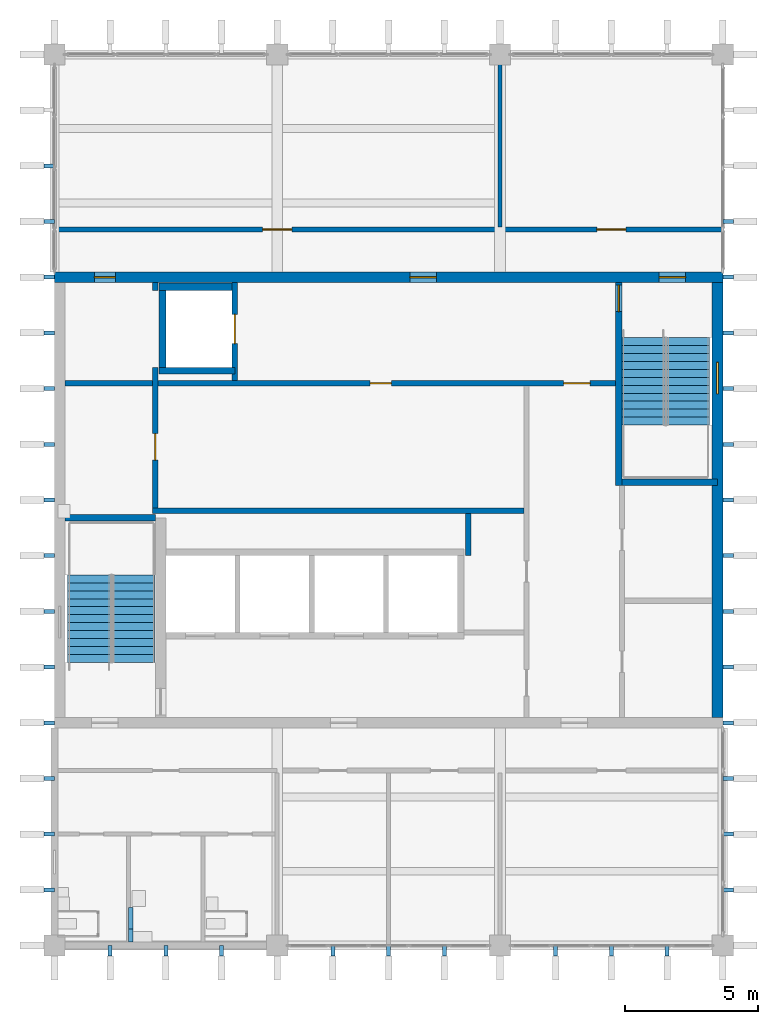
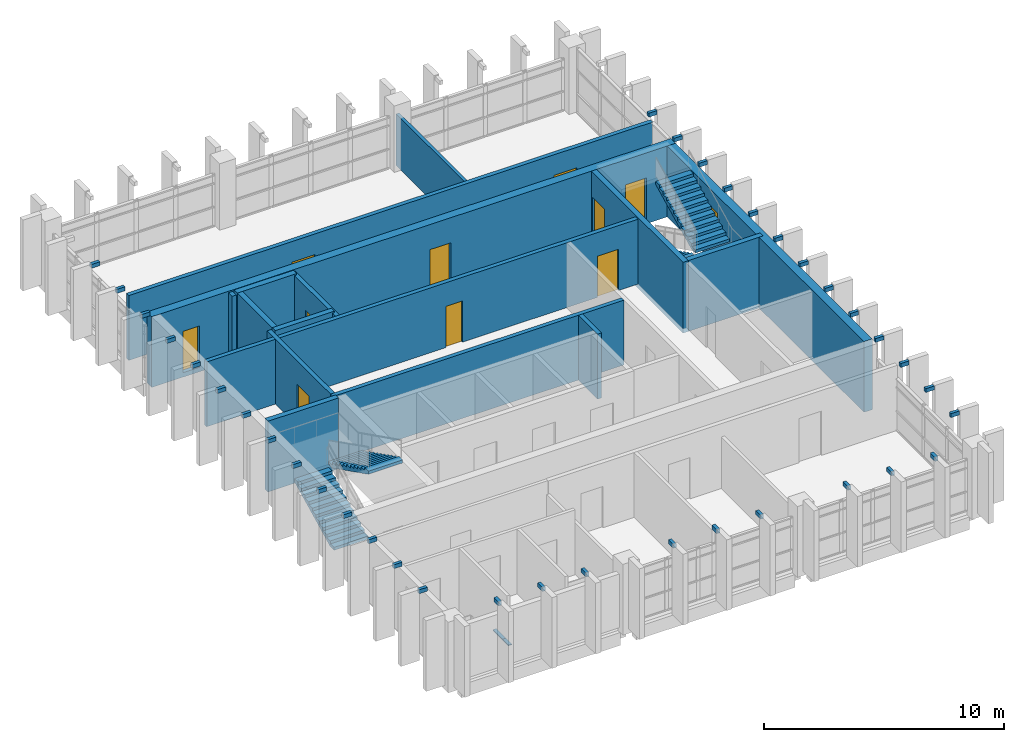
# One storey, part 8 of 11: 38 discrete accessories, 16 walls, 10 doors, 4 stair flights, 1 window, 11 openings, 2 elements without a shape of their own.
"""IFC4 building model written with IfcOpenShell, lengths in metres."""

from ifc_helpers import new_model, si_unit, direction, frame, frame_2d, origin, origin_2d, place, context, subcontext, project, spatial, polyline, rectangle, outline, extrude, material, layer, layer_set, type_object, element, fill, aggregate, save


model = new_model("IFC4")

# Units and contexts
model_context = context("Model", 3, precision=1e-05, world=origin(), true_north=direction((0.0, 1.0)))
body_context = subcontext(model_context, "Body", "Model", "MODEL_VIEW")
ifc_project = project(units=[si_unit("LENGTHUNIT", "METRE"), si_unit("AREAUNIT", "SQUARE_METRE"), si_unit("VOLUMEUNIT", "CUBIC_METRE"), si_unit("PLANEANGLEUNIT", "RADIAN"), si_unit("MASSUNIT", "GRAM", prefix="KILO")], contexts=[model_context])

# Site, building, storey
site_placement = place(None, origin())
site = spatial("IfcSite", under=ifc_project, at=site_placement, CompositionType="ELEMENT")
building_placement = place(site_placement, origin())
building = spatial("IfcBuilding", under=site, at=building_placement, Name="Rulbaag Community and Learning Centre", CompositionType="ELEMENT")
storey_placement = place(building_placement, frame((0.0, 0.0, 43.199951171875)))
storey = spatial("IfcBuildingStorey", under=building, at=storey_placement, Name="L11", CompositionType="ELEMENT", Elevation=43.199951171875)

# Wall
ifc_material_1 = material(Name="Concrete blockwork", Category="masonry")
ifc_layer_1 = layer(ifc_material_1, 0.199951171875)
ifc_layer_set_1 = layer_set([ifc_layer_1], Name="FW-200 FIRE WALL 200")
wall_type_1 = type_object("IfcWallType", Name="FW-200 FIRE WALL 200", PredefinedType="SOLIDWALL", material=ifc_layer_set_1)
wall_1_placement = place(storey_placement, frame((146.5, 100.39990234375, 0.0), z_axis=(0.0, 0.0, 1.0), x_axis=(1.0, 0.0, 0.0)))
element("IfcWall", 1, at=wall_1_placement, inside=storey, type_object=wall_type_1, Name="Fire wall L11 8", PredefinedType="SOLIDWALL", context=body_context, shape_type="SweptSolid", body=[
    extrude(rectangle(XDim=14.0, YDim=0.199951171875, at=frame_2d((7.0, 0.0))), origin(), (0.0, 0.0, 1.0), 3.300048828125),
])

# Wall, openings, doors
wall_2_placement = place(storey_placement, frame((143.199951171875, 105.199951171875, 0.0), z_axis=(0.0, 0.0, 1.0), x_axis=(1.0, 0.0, 0.0)))
wall_2 = element("IfcWall", 2, at=wall_2_placement, inside=storey, type_object=wall_type_1, Name="Fire wall L11 9", PredefinedType="SOLIDWALL", context=body_context, shape_type="SweptSolid", body=[
    extrude(rectangle(XDim=20.75, YDim=0.199951171875, at=frame_2d((10.375, 0.0))), origin(), (0.0, 0.0, 1.0), 3.300048828125),
])
opening_1_placement = place(wall_2_placement, frame((11.5, 0.0, 0.0)))
opening_1 = element("IfcOpeningElement", 3, at=opening_1_placement, cuts=wall_2, Name="Opening L11-D018", PredefinedType="OPENING", context=body_context, shape_type="SweptSolid", body=[
    extrude(rectangle(XDim=0.800048828125, YDim=2.10009765625, at=frame_2d((0.39990234375, 1.050048828125))), frame((0.0, 0.10986328125, 0.0), z_axis=(0.0, -1.0, 0.0), x_axis=(1.0, 0.0, 0.0)), (0.0, 0.0, 1.0), 0.219970703125),
])
opening_2_placement = place(wall_2_placement, frame((18.800048828125, 0.0, 0.0)))
opening_2 = element("IfcOpeningElement", 4, at=opening_2_placement, cuts=wall_2, Name="Opening L11-D025", PredefinedType="OPENING", context=body_context, shape_type="SweptSolid", body=[
    extrude(rectangle(XDim=1.0, YDim=2.10009765625, at=frame_2d((0.5, 1.050048828125))), frame((0.0, 0.10986328125, 0.0), z_axis=(0.0, -1.0, 0.0), x_axis=(1.0, 0.0, 0.0)), (0.0, 0.0, 1.0), 0.219970703125),
])
ifc_material_2 = material(Name="Galvanised steel", Category="steel")
door_type_1 = type_object("IfcDoorType", Name="FD-1000 FIRE DOOR 1000 x 2100", OperationType="SINGLE_SWING_LEFT", PredefinedType="DOOR", material=ifc_material_2)
door_1_placement = place(opening_2_placement, origin())
door_1 = element("IfcDoor", 5, at=door_1_placement, inside=storey, type_object=door_type_1, Name="Door L11-D025", OperationType="SINGLE_SWING_LEFT", OverallHeight=2.10009765625, OverallWidth=1.0, PredefinedType="DOOR", context=body_context, shape_type="SweptSolid", body=[
    extrude(rectangle(XDim=1.0, YDim=2.10009765625, at=frame_2d((0.5, 1.050048828125))), frame((0.0, 0.02490234375, 0.0), z_axis=(0.0, -1.0, 0.0), x_axis=(1.0, 0.0, 0.0)), (0.0, 0.0, 1.0), 0.050048828125),
])
fill(opening_2, door_1)
door_type_2 = type_object("IfcDoorType", Name="FDR-800 RISER FIRE DOOR 800 x 2100", OperationType="SINGLE_SWING_LEFT", PredefinedType="DOOR", material=ifc_material_2)
door_2_placement = place(opening_1_placement, origin())
door_2 = element("IfcDoor", 6, at=door_2_placement, inside=storey, type_object=door_type_2, Name="Riser door L11-D021", OperationType="SINGLE_SWING_RIGHT", OverallHeight=2.10009765625, OverallWidth=0.800048828125, PredefinedType="DOOR", context=body_context, shape_type="SweptSolid", body=[
    extrude(rectangle(XDim=0.800048828125, YDim=2.10009765625, at=frame_2d((0.39990234375, 1.050048828125))), frame((0.0, 0.02490234375, 0.0), z_axis=(0.0, -1.0, 0.0), x_axis=(1.0, 0.0, 0.0)), (0.0, 0.0, 1.0), 0.050048828125),
])
fill(opening_1, door_2)

wall_3_placement = place(storey_placement, frame((142.800048828125, 111.0, 0.0), z_axis=(0.0, 0.0, 1.0), x_axis=(1.0, 0.0, 0.0)))
wall_3 = element("IfcWall", 7, at=wall_3_placement, inside=storey, type_object=wall_type_1, Name="Fire wall L11 10", PredefinedType="SOLIDWALL", context=body_context, shape_type="SweptSolid", body=[
    extrude(rectangle(XDim=25.199951171875, YDim=0.199951171875, at=frame_2d((12.60009765625, 0.0))), origin(), (0.0, 0.0, 1.0), 3.300048828125),
])
opening_3_placement = place(wall_3_placement, frame((7.85009765625, 0.0, 0.0)))
opening_3 = element("IfcOpeningElement", 8, at=opening_3_placement, cuts=wall_3, Name="Opening L11-D014", PredefinedType="OPENING", context=body_context, shape_type="SweptSolid", body=[
    extrude(rectangle(XDim=1.10009765625, YDim=2.25, at=frame_2d((0.550048828125, 1.125))), frame((0.0, 0.10986328125, 0.0), z_axis=(0.0, -1.0, 0.0), x_axis=(1.0, 0.0, 0.0)), (0.0, 0.0, 1.0), 0.219970703125),
])
opening_4_placement = place(wall_3_placement, frame((20.449951171875, 0.0, 0.0)))
opening_4 = element("IfcOpeningElement", 9, at=opening_4_placement, cuts=wall_3, Name="Opening L11-D027", PredefinedType="OPENING", context=body_context, shape_type="SweptSolid", body=[
    extrude(rectangle(XDim=1.10009765625, YDim=2.25, at=frame_2d((0.550048828125, 1.125))), frame((0.0, 0.10986328125, 0.0), z_axis=(0.0, -1.0, 0.0), x_axis=(1.0, 0.0, 0.0)), (0.0, 0.0, 1.0), 0.219970703125),
])
ifc_material_3 = material(Name="Timber", Category="wood")
door_type_3 = type_object("IfcDoorType", Name="D-1100 OFFICE SUITE ENTRANCE DOOR 1100 x 2250", OperationType="SINGLE_SWING_LEFT", PredefinedType="DOOR", material=ifc_material_3)
door_3_placement = place(opening_3_placement, origin())
door_3 = element("IfcDoor", 10, at=door_3_placement, inside=storey, type_object=door_type_3, Name="Door L11-D014", OperationType="SINGLE_SWING_RIGHT", OverallHeight=2.25, OverallWidth=1.10009765625, PredefinedType="DOOR", context=body_context, shape_type="SweptSolid", body=[
    extrude(rectangle(XDim=1.10009765625, YDim=2.25, at=frame_2d((0.550048828125, 1.125))), frame((0.0, 0.02490234375, 0.0), z_axis=(0.0, -1.0, 0.0), x_axis=(1.0, 0.0, 0.0)), (0.0, 0.0, 1.0), 0.050048828125),
])
fill(opening_3, door_3)
door_4_placement = place(opening_4_placement, origin())
door_4 = element("IfcDoor", 11, at=door_4_placement, inside=storey, type_object=door_type_3, Name="Door L11-D027", OperationType="SINGLE_SWING_LEFT", OverallHeight=2.25, OverallWidth=1.10009765625, PredefinedType="DOOR", context=body_context, shape_type="SweptSolid", body=[
    extrude(rectangle(XDim=1.10009765625, YDim=2.25, at=frame_2d((0.550048828125, 1.125))), frame((0.0, 0.02490234375, 0.0), z_axis=(0.0, -1.0, 0.0), x_axis=(1.0, 0.0, 0.0)), (0.0, 0.0, 1.0), 0.050048828125),
])
fill(opening_4, door_4)

# Wall, opening, door
wall_4_placement = place(storey_placement, frame((146.60009765625, 100.5, 0.0), z_axis=(0.0, 0.0, 1.0), x_axis=(0.0, 1.0, 0.0)))
wall_4 = element("IfcWall", 12, at=wall_4_placement, inside=storey, type_object=wall_type_1, Name="Fire wall L11 12", PredefinedType="SOLIDWALL", context=body_context, shape_type="SweptSolid", body=[
    extrude(rectangle(XDim=5.300048828125, YDim=0.199951171875, at=frame_2d((2.64990234375, 0.0))), origin(), (0.0, 0.0, 1.0), 3.300048828125),
])
opening_5_placement = place(wall_4_placement, frame((1.800048828125, 0.0, 0.0)))
opening_5 = element("IfcOpeningElement", 13, at=opening_5_placement, cuts=wall_4, Name="Opening L11-D005", PredefinedType="OPENING", context=body_context, shape_type="SweptSolid", body=[
    extrude(rectangle(XDim=1.0, YDim=2.10009765625, at=frame_2d((0.5, 1.050048828125))), frame((0.0, 0.10986328125, 0.0), z_axis=(0.0, -1.0, 0.0), x_axis=(1.0, 0.0, 0.0)), (0.0, 0.0, 1.0), 0.219970703125),
])
door_5_placement = place(opening_5_placement, origin())
door_5 = element("IfcDoor", 14, at=door_5_placement, inside=storey, type_object=door_type_1, Name="Door L11-D005", OperationType="SINGLE_SWING_LEFT", OverallHeight=2.10009765625, OverallWidth=1.0, PredefinedType="DOOR", context=body_context, shape_type="SweptSolid", body=[
    extrude(rectangle(XDim=1.0, YDim=2.10009765625, at=frame_2d((0.5, 1.050048828125))), frame((0.0, 0.02490234375, 0.0), z_axis=(0.0, -1.0, 0.0), x_axis=(1.0, 0.0, 0.0)), (0.0, 0.0, 1.0), 0.050048828125),
])
fill(opening_5, door_5)

# Wall
wall_5_placement = place(storey_placement, frame((146.60009765625, 108.699951171875, 0.0), z_axis=(0.0, 0.0, 1.0), x_axis=(0.0, 1.0, 0.0)))
element("IfcWall", 15, at=wall_5_placement, inside=storey, type_object=wall_type_1, Name="Fire wall L11 13", PredefinedType="SOLIDWALL", context=body_context, shape_type="SweptSolid", body=[
    extrude(rectangle(XDim=0.300048828125, YDim=0.199951171875, at=frame_2d((0.14990234375, 0.0))), origin(), (0.0, 0.0, 1.0), 3.300048828125),
])

# Wall, opening, door
wall_6_placement = place(storey_placement, frame((149.60009765625, 105.300048828125, 0.0), z_axis=(0.0, 0.0, 1.0), x_axis=(0.0, 1.0, 0.0)))
wall_6 = element("IfcWall", 16, at=wall_6_placement, inside=storey, type_object=wall_type_1, Name="Fire wall L11 15", PredefinedType="SOLIDWALL", context=body_context, shape_type="SweptSolid", body=[
    extrude(rectangle(XDim=3.699951171875, YDim=0.199951171875, at=frame_2d((1.85009765625, 0.0))), origin(), (0.0, 0.0, 1.0), 3.300048828125),
])
opening_6_placement = place(wall_6_placement, frame((1.39990234375, 0.0, 0.0)))
opening_6 = element("IfcOpeningElement", 17, at=opening_6_placement, cuts=wall_6, Name="Opening L11-D010", PredefinedType="OPENING", context=body_context, shape_type="SweptSolid", body=[
    extrude(rectangle(XDim=1.10009765625, YDim=2.10009765625, at=frame_2d((0.550048828125, 1.050048828125))), frame((0.0, 0.10986328125, 0.0), z_axis=(0.0, -1.0, 0.0), x_axis=(1.0, 0.0, 0.0)), (0.0, 0.0, 1.0), 0.219970703125),
])
ifc_material_4 = material(Name="Stainless steel grade 304", Category="steel")
door_type_4 = type_object("IfcDoorType", Name="LD-1100 LIFT LANDING DOOR 1100 x 2100", OperationType="SLIDING_TO_LEFT", PredefinedType="DOOR", material=ifc_material_4)
door_6_placement = place(opening_6_placement, origin())
door_6 = element("IfcDoor", 18, at=door_6_placement, inside=storey, type_object=door_type_4, Name="Lift landing door LF1 L11", OperationType="SLIDING_TO_LEFT", OverallHeight=2.10009765625, OverallWidth=1.10009765625, PredefinedType="DOOR", context=body_context, shape_type="SweptSolid", body=[
    extrude(rectangle(XDim=1.10009765625, YDim=2.10009765625, at=frame_2d((0.550048828125, 1.050048828125))), frame((0.0, 0.02490234375, 0.0), z_axis=(0.0, -1.0, 0.0), x_axis=(1.0, 0.0, 0.0)), (0.0, 0.0, 1.0), 0.050048828125),
])
fill(opening_6, door_6)

# Walls
wall_7_placement = place(storey_placement, frame((158.39990234375, 98.699951171875, 0.0), z_axis=(0.0, 0.0, 1.0), x_axis=(0.0, 1.0, 0.0)))
element("IfcWall", 19, at=wall_7_placement, inside=storey, type_object=wall_type_1, Name="Fire wall L11 18", PredefinedType="SOLIDWALL", context=body_context, shape_type="SweptSolid", body=[
    extrude(rectangle(XDim=1.60009765625, YDim=0.199951171875, at=frame_2d((0.800048828125, 0.0))), origin(), (0.0, 0.0, 1.0), 3.300048828125),
])
ifc_layer_2 = layer(ifc_material_1, 0.14990234375)
ifc_layer_set_2 = layer_set([ifc_layer_2], Name="IP-150 PARTITION 150")
wall_type_2 = type_object("IfcWallType", Name="IP-150 PARTITION 150", PredefinedType="PARTITIONING", material=ifc_layer_set_2)
wall_8_placement = place(storey_placement, frame((159.60009765625, 111.10009765625, 0.0), z_axis=(0.0, 0.0, 1.0), x_axis=(0.0, 1.0, 0.0)))
element("IfcWall", 20, at=wall_8_placement, inside=storey, type_object=wall_type_2, Name="Partition L11 20", PredefinedType="PARTITIONING", context=body_context, shape_type="SweptSolid", body=[
    extrude(rectangle(XDim=6.5, YDim=0.14990234375, at=frame_2d((3.25, 0.0))), origin(), (0.0, 0.0, 1.0), 2.625),
])
ifc_material_5 = material(Name="Concrete M40", Category="concrete")
ifc_layer_3 = layer(ifc_material_5, 0.27490234375)
ifc_layer_set_3 = layer_set([ifc_layer_3], Name="W16 Shaft wall 275 Concrete M40")
wall_type_3 = type_object("IfcWallType", Name="W16 Shaft wall 275 Concrete M40", PredefinedType="SHEAR", material=ifc_layer_set_3)
wall_9_placement = place(storey_placement, frame((146.75, 108.83740234375, -0.224853515625), z_axis=(0.0, 0.0, 1.0), x_axis=(1.0, 0.0, 0.0)))
element("IfcWall", 21, at=wall_9_placement, inside=storey, type_object=wall_type_3, Name="WL-LF-N-L11", PredefinedType="SHEAR", context=body_context, shape_type="SweptSolid", body=[
    extrude(rectangle(XDim=2.85009765625, YDim=0.27490234375, at=frame_2d((1.425048828125, 0.0))), origin(), (0.0, 0.0, 1.0), 3.599853515625),
])

# Wall, openings, doors
ifc_material_6 = material(Name="Concrete M60", Category="concrete")
ifc_layer_4 = layer(ifc_material_6, 0.39990234375)
ifc_layer_set_4 = layer_set([ifc_layer_4], Name="W2 Core wall 400 Concrete M60")
wall_type_4 = type_object("IfcWallType", Name="W2 Core wall 400 Concrete M60", PredefinedType="SHEAR", material=ifc_layer_set_4)
wall_10_placement = place(storey_placement, frame((142.800048828125, 109.199951171875, -0.224853515625), z_axis=(0.0, 0.0, 1.0), x_axis=(1.0, 0.0, 0.0)))
wall_10 = element("IfcWall", 22, at=wall_10_placement, inside=storey, type_object=wall_type_4, Name="WL-CORE-N-L11", PredefinedType="SHEAR", context=body_context, shape_type="SweptSolid", body=[
    extrude(rectangle(XDim=25.199951171875, YDim=0.39990234375, at=frame_2d((12.60009765625, 0.0))), origin(), (0.0, 0.0, 1.0), 3.599853515625),
])
opening_7_placement = place(wall_10_placement, frame((22.800048828125, 0.0, 0.22509765625)))
opening_7 = element("IfcOpeningElement", 23, at=opening_7_placement, cuts=wall_10, Name="Opening L11-D031", PredefinedType="OPENING", context=body_context, shape_type="SweptSolid", body=[
    extrude(rectangle(XDim=1.0, YDim=2.10009765625, at=frame_2d((0.5, 1.050048828125))), frame((0.0, 0.2099609375, 0.0), z_axis=(0.0, -1.0, 0.0), x_axis=(1.0, 0.0, 0.0)), (0.0, 0.0, 1.0), 0.419921875),
])
opening_8_placement = place(wall_10_placement, frame((1.5, 0.0, 0.22509765625)))
opening_8 = element("IfcOpeningElement", 24, at=opening_8_placement, cuts=wall_10, Name="Opening L11-D004", PredefinedType="OPENING", context=body_context, shape_type="SweptSolid", body=[
    extrude(rectangle(XDim=0.800048828125, YDim=2.10009765625, at=frame_2d((0.39990234375, 1.050048828125))), frame((0.0, 0.2099609375, 0.0), z_axis=(0.0, -1.0, 0.0), x_axis=(1.0, 0.0, 0.0)), (0.0, 0.0, 1.0), 0.419921875),
])
opening_9_placement = place(wall_10_placement, frame((13.39990234375, 0.0, 0.22509765625)))
opening_9 = element("IfcOpeningElement", 25, at=opening_9_placement, cuts=wall_10, Name="Opening L11-D020", PredefinedType="OPENING", context=body_context, shape_type="SweptSolid", body=[
    extrude(rectangle(XDim=1.0, YDim=2.10009765625, at=frame_2d((0.5, 1.050048828125))), frame((0.0, 0.2099609375, 0.0), z_axis=(0.0, -1.0, 0.0), x_axis=(1.0, 0.0, 0.0)), (0.0, 0.0, 1.0), 0.419921875),
])
door_7_placement = place(opening_7_placement, origin())
door_7 = element("IfcDoor", 26, at=door_7_placement, inside=storey, type_object=door_type_1, Name="Door L11-D031", OperationType="SINGLE_SWING_LEFT", OverallHeight=2.10009765625, OverallWidth=1.0, PredefinedType="DOOR", context=body_context, shape_type="SweptSolid", body=[
    extrude(rectangle(XDim=1.0, YDim=2.10009765625, at=frame_2d((0.5, 1.050048828125))), frame((0.0, 0.02490234375, 0.0), z_axis=(0.0, -1.0, 0.0), x_axis=(1.0, 0.0, 0.0)), (0.0, 0.0, 1.0), 0.050048828125),
])
fill(opening_7, door_7)
door_8_placement = place(opening_9_placement, origin())
door_8 = element("IfcDoor", 27, at=door_8_placement, inside=storey, type_object=door_type_1, Name="Door L11-D020", OperationType="SINGLE_SWING_LEFT", OverallHeight=2.10009765625, OverallWidth=1.0, PredefinedType="DOOR", context=body_context, shape_type="SweptSolid", body=[
    extrude(rectangle(XDim=1.0, YDim=2.10009765625, at=frame_2d((0.5, 1.050048828125))), frame((0.0, 0.02490234375, 0.0), z_axis=(0.0, -1.0, 0.0), x_axis=(1.0, 0.0, 0.0)), (0.0, 0.0, 1.0), 0.050048828125),
])
fill(opening_9, door_8)
door_9_placement = place(opening_8_placement, origin())
door_9 = element("IfcDoor", 28, at=door_9_placement, inside=storey, type_object=door_type_2, Name="Riser door L11-D023", OperationType="SINGLE_SWING_LEFT", OverallHeight=2.10009765625, OverallWidth=0.800048828125, PredefinedType="DOOR", context=body_context, shape_type="SweptSolid", body=[
    extrude(rectangle(XDim=0.800048828125, YDim=2.10009765625, at=frame_2d((0.39990234375, 1.050048828125))), frame((0.0, 0.02490234375, 0.0), z_axis=(0.0, -1.0, 0.0), x_axis=(1.0, 0.0, 0.0)), (0.0, 0.0, 1.0), 0.050048828125),
])
fill(opening_8, door_9)

# Wall, opening, window
wall_11_placement = place(storey_placement, frame((167.800048828125, 92.60009765625, -0.224853515625), z_axis=(0.0, 0.0, 1.0), x_axis=(0.0, 1.0, 0.0)))
wall_11 = element("IfcWall", 29, at=wall_11_placement, inside=storey, type_object=wall_type_4, Name="WL-CORE-E-L11", PredefinedType="SHEAR", context=body_context, shape_type="SweptSolid", body=[
    extrude(rectangle(XDim=16.39990234375, YDim=0.39990234375, at=frame_2d((8.199951171875, 0.0))), origin(), (0.0, 0.0, 1.0), 3.599853515625),
])
opening_10_placement = place(wall_11_placement, frame((12.199951171875, 0.0, 1.824951171875)))
opening_10 = element("IfcOpeningElement", 30, at=opening_10_placement, cuts=wall_11, Name="Opening WN19", PredefinedType="OPENING", context=body_context, shape_type="SweptSolid", body=[
    extrude(rectangle(XDim=1.199951171875, YDim=0.89990234375, at=frame_2d((0.60009765625, 0.449951171875))), frame((0.0, 0.2099609375, 0.0), z_axis=(0.0, -1.0, 0.0), x_axis=(1.0, 0.0, 0.0)), (0.0, 0.0, 1.0), 0.419921875),
])
ifc_material_7 = material(Name="Aluminium", Category="aluminium")
window_type = type_object("IfcWindowType", Name="WS-12", PartitioningType="SINGLE_PANEL", PredefinedType="WINDOW", material=ifc_material_7)
window_placement = place(opening_10_placement, origin())
window = element("IfcWindow", 31, at=window_placement, inside=storey, type_object=window_type, Name="Stair window", OverallHeight=0.89990234375, OverallWidth=1.199951171875, PartitioningType="SINGLE_PANEL", PredefinedType="WINDOW", context=body_context, shape_type="SweptSolid", body=[
    extrude(rectangle(XDim=1.199951171875, YDim=0.89990234375, at=frame_2d((0.60009765625, 0.449951171875))), frame((0.0, 0.030029296875, 0.0), z_axis=(0.0, -1.0, 0.0), x_axis=(1.0, 0.0, 0.0)), (0.0, 0.0, 1.0), 0.06005859375),
])
fill(opening_10, window)

# Wall
ifc_layer_5 = layer(ifc_material_5, 0.25)
ifc_layer_set_5 = layer_set([ifc_layer_5], Name="W5 Shaft wall 250 Concrete M40")
wall_type_5 = type_object("IfcWallType", Name="W5 Shaft wall 250 Concrete M40", PredefinedType="SHEAR", material=ifc_layer_set_5)
wall_12_placement = place(storey_placement, frame((143.199951171875, 100.125, -0.224853515625), z_axis=(0.0, 0.0, 1.0), x_axis=(1.0, 0.0, 0.0)))
element("IfcWall", 32, at=wall_12_placement, inside=storey, type_object=wall_type_5, Name="WL-ST1-N-L11", PredefinedType="SHEAR", context=body_context, shape_type="SweptSolid", body=[
    extrude(rectangle(XDim=3.400146484375, YDim=0.25, at=frame_2d((1.7001953125, 0.0))), origin(), (0.0, 0.0, 1.0), 3.599853515625),
])

# Wall, opening, door
wall_13_placement = place(storey_placement, frame((164.074951171875, 101.35009765625, -0.224853515625), z_axis=(0.0, 0.0, 1.0), x_axis=(0.0, 1.0, 0.0)))
wall_13 = element("IfcWall", 33, at=wall_13_placement, inside=storey, type_object=wall_type_5, Name="WL-ST2-W-L11", PredefinedType="SHEAR", context=body_context, shape_type="SweptSolid", body=[
    extrude(rectangle(XDim=7.64990234375, YDim=0.25, at=frame_2d((3.824951171875, 0.0))), origin(), (0.0, 0.0, 1.0), 3.599853515625),
])
opening_11_placement = place(wall_13_placement, frame((6.550048828125, 0.0, 0.22509765625)))
opening_11 = element("IfcOpeningElement", 34, at=opening_11_placement, cuts=wall_13, Name="Opening L11-D028", PredefinedType="OPENING", context=body_context, shape_type="SweptSolid", body=[
    extrude(rectangle(XDim=1.0, YDim=2.10009765625, at=frame_2d((0.5, 1.050048828125))), frame((0.0, 0.135009765625, 0.0), z_axis=(0.0, -1.0, 0.0), x_axis=(1.0, 0.0, 0.0)), (0.0, 0.0, 1.0), 0.27001953125),
])
door_10_placement = place(opening_11_placement, origin())
door_10 = element("IfcDoor", 35, at=door_10_placement, inside=storey, type_object=door_type_1, Name="Door L11-D028", OperationType="SINGLE_SWING_LEFT", OverallHeight=2.10009765625, OverallWidth=1.0, PredefinedType="DOOR", context=body_context, shape_type="SweptSolid", body=[
    extrude(rectangle(XDim=1.0, YDim=2.10009765625, at=frame_2d((0.5, 1.050048828125))), frame((0.0, 0.02490234375, 0.0), z_axis=(0.0, -1.0, 0.0), x_axis=(1.0, 0.0, 0.0)), (0.0, 0.0, 1.0), 0.050048828125),
])
fill(opening_11, door_10)

# Walls
wall_14_placement = place(storey_placement, frame((164.199951171875, 101.47509765625, -0.224853515625), z_axis=(0.0, 0.0, 1.0), x_axis=(1.0, 0.0, 0.0)))
element("IfcWall", 36, at=wall_14_placement, inside=storey, type_object=wall_type_5, Name="WL-ST2-S-L11", PredefinedType="SHEAR", context=body_context, shape_type="SweptSolid", body=[
    extrude(rectangle(XDim=3.60009765625, YDim=0.25, at=frame_2d((1.800048828125, 0.0))), origin(), (0.0, 0.0, 1.0), 3.599853515625),
])
wall_15_placement = place(storey_placement, frame((146.75, 105.675048828125, -0.224853515625), z_axis=(0.0, 0.0, 1.0), x_axis=(1.0, 0.0, 0.0)))
element("IfcWall", 37, at=wall_15_placement, inside=storey, type_object=wall_type_5, Name="WL-LF-S-L11", PredefinedType="SHEAR", context=body_context, shape_type="SweptSolid", body=[
    extrude(rectangle(XDim=2.85009765625, YDim=0.25, at=frame_2d((1.425048828125, 0.0))), origin(), (0.0, 0.0, 1.0), 3.599853515625),
])
wall_16_placement = place(storey_placement, frame((146.875, 105.800048828125, -0.224853515625), z_axis=(0.0, 0.0, 1.0), x_axis=(0.0, 1.0, 0.0)))
element("IfcWall", 38, at=wall_16_placement, inside=storey, type_object=wall_type_5, Name="WL-LF-W-L11", PredefinedType="SHEAR", context=body_context, shape_type="SweptSolid", body=[
    extrude(rectangle(XDim=2.89990234375, YDim=0.25, at=frame_2d((1.449951171875, 0.0))), origin(), (0.0, 0.0, 1.0), 3.599853515625),
])

# Stair, stair flights
stair_type = type_object("IfcStairType", Name="ST-1650 STAIR 1650 WIDE", PredefinedType="HALF_TURN_STAIR", material=ifc_material_5)
stair_1_placement = place(storey_placement, origin())
stair_1 = element("IfcStair", 39, at=stair_1_placement, inside=storey, type_object=stair_type, Name="Stair ST1 L11", PredefinedType="HALF_TURN_STAIR")
stair_flight_type = type_object("IfcStairFlightType", Name="FL-1650 FLIGHT 1650 WIDE Concrete M40", PredefinedType="STRAIGHT", material=ifc_material_5)
stair_flight_1_placement = place(storey_placement, frame((144.125, 94.675048828125, 0.0), z_axis=(0.0, 0.0, 1.0), x_axis=(0.0, 1.0, 0.0)))
stair_flight_1 = element("IfcStairFlight", 40, at=stair_flight_1_placement, type_object=stair_flight_type, Name="ST1 flight 1", NumberOfRisers=12, NumberOfTreads=11, PredefinedType="STRAIGHT", RiserHeight=0.15, TreadLength=0.3, context=body_context, shape_type="SweptSolid", body=[
    extrude(outline(polyline([(0.0, 0.0), (0.0, 0.14990234375), (0.300048828125, 0.14990234375), (0.300048828125, 0.300048828125), (0.60009765625, 0.300048828125), (0.60009765625, 0.449951171875), (0.89990234375, 0.449951171875), (0.89990234375, 0.60009765625), (1.199951171875, 0.60009765625), (1.199951171875, 0.75), (1.5, 0.75), (1.5, 0.89990234375), (1.800048828125, 0.89990234375), (1.800048828125, 1.050048828125), (2.10009765625, 1.050048828125), (2.10009765625, 1.199951171875), (2.39990234375, 1.199951171875), (2.39990234375, 1.35009765625), (2.699951171875, 1.35009765625), (2.699951171875, 1.5), (3.0, 1.5), (3.0, 1.64990234375), (3.300048828125, 1.64990234375), (3.300048828125, 1.49365234375), (0.312744140625, 0.0), (0.0, 0.0)])), frame((0.0, 0.824951171875, 0.0), z_axis=(0.0, -1.0, 0.0), x_axis=(1.0, 0.0, 0.0)), (0.0, 0.0, 1.0), 1.64990234375),
])
stair_flight_2_placement = place(storey_placement, frame((145.77490234375, 97.97509765625, 1.800048828125), z_axis=(0.0, 0.0, 1.0), x_axis=(0.0, -1.0, 0.0)))
stair_flight_2 = element("IfcStairFlight", 41, at=stair_flight_2_placement, type_object=stair_flight_type, Name="ST1 flight 2", NumberOfRisers=12, NumberOfTreads=11, PredefinedType="STRAIGHT", RiserHeight=0.15, TreadLength=0.3, context=body_context, shape_type="SweptSolid", body=[
    extrude(outline(polyline([(0.0, 0.0), (0.0, 0.14990234375), (0.300048828125, 0.14990234375), (0.300048828125, 0.300048828125), (0.60009765625, 0.300048828125), (0.60009765625, 0.449951171875), (0.89990234375, 0.449951171875), (0.89990234375, 0.60009765625), (1.199951171875, 0.60009765625), (1.199951171875, 0.75), (1.5, 0.75), (1.5, 0.89990234375), (1.800048828125, 0.89990234375), (1.800048828125, 1.050048828125), (2.10009765625, 1.050048828125), (2.10009765625, 1.199951171875), (2.39990234375, 1.199951171875), (2.39990234375, 1.35009765625), (2.699951171875, 1.35009765625), (2.699951171875, 1.5), (3.0, 1.5), (3.0, 1.64990234375), (3.300048828125, 1.64990234375), (3.300048828125, 1.49365234375), (0.312744140625, 0.0), (0.0, 0.0)])), frame((0.0, 0.824951171875, 0.0), z_axis=(0.0, -1.0, 0.0), x_axis=(1.0, 0.0, 0.0)), (0.0, 0.0, 1.0), 1.64990234375),
])
aggregate(stair_1, [stair_flight_1, stair_flight_2])

stair_2_placement = place(storey_placement, origin())
stair_2 = element("IfcStair", 42, at=stair_2_placement, inside=storey, type_object=stair_type, Name="Stair ST2 L11", PredefinedType="HALF_TURN_STAIR")
stair_flight_3_placement = place(storey_placement, frame((165.02490234375, 106.925048828125, 0.0), z_axis=(0.0, 0.0, 1.0), x_axis=(0.0, -1.0, 0.0)))
stair_flight_3 = element("IfcStairFlight", 43, at=stair_flight_3_placement, type_object=stair_flight_type, Name="ST2 flight 1", NumberOfRisers=12, NumberOfTreads=11, PredefinedType="STRAIGHT", RiserHeight=0.15, TreadLength=0.3, context=body_context, shape_type="SweptSolid", body=[
    extrude(outline(polyline([(0.0, 0.0), (0.0, 0.14990234375), (0.300048828125, 0.14990234375), (0.300048828125, 0.300048828125), (0.60009765625, 0.300048828125), (0.60009765625, 0.449951171875), (0.89990234375, 0.449951171875), (0.89990234375, 0.60009765625), (1.199951171875, 0.60009765625), (1.199951171875, 0.75), (1.5, 0.75), (1.5, 0.89990234375), (1.800048828125, 0.89990234375), (1.800048828125, 1.050048828125), (2.10009765625, 1.050048828125), (2.10009765625, 1.199951171875), (2.39990234375, 1.199951171875), (2.39990234375, 1.35009765625), (2.699951171875, 1.35009765625), (2.699951171875, 1.5), (3.0, 1.5), (3.0, 1.64990234375), (3.300048828125, 1.64990234375), (3.300048828125, 1.49365234375), (0.312744140625, 0.0), (0.0, 0.0)])), frame((0.0, 0.824951171875, 0.0), z_axis=(0.0, -1.0, 0.0), x_axis=(1.0, 0.0, 0.0)), (0.0, 0.0, 1.0), 1.64990234375),
])
stair_flight_4_placement = place(storey_placement, frame((166.675048828125, 103.625, 1.800048828125), z_axis=(0.0, 0.0, 1.0), x_axis=(0.0, 1.0, 0.0)))
stair_flight_4 = element("IfcStairFlight", 44, at=stair_flight_4_placement, type_object=stair_flight_type, Name="ST2 flight 2", NumberOfRisers=12, NumberOfTreads=11, PredefinedType="STRAIGHT", RiserHeight=0.15, TreadLength=0.3, context=body_context, shape_type="SweptSolid", body=[
    extrude(outline(polyline([(0.0, 0.0), (0.0, 0.14990234375), (0.300048828125, 0.14990234375), (0.300048828125, 0.300048828125), (0.60009765625, 0.300048828125), (0.60009765625, 0.449951171875), (0.89990234375, 0.449951171875), (0.89990234375, 0.60009765625), (1.199951171875, 0.60009765625), (1.199951171875, 0.75), (1.5, 0.75), (1.5, 0.89990234375), (1.800048828125, 0.89990234375), (1.800048828125, 1.050048828125), (2.10009765625, 1.050048828125), (2.10009765625, 1.199951171875), (2.39990234375, 1.199951171875), (2.39990234375, 1.35009765625), (2.699951171875, 1.35009765625), (2.699951171875, 1.5), (3.0, 1.5), (3.0, 1.64990234375), (3.300048828125, 1.64990234375), (3.300048828125, 1.49365234375), (0.312744140625, 0.0), (0.0, 0.0)])), frame((0.0, 0.824951171875, 0.0), z_axis=(0.0, -1.0, 0.0), x_axis=(1.0, 0.0, 0.0)), (0.0, 0.0, 1.0), 1.64990234375),
])
aggregate(stair_2, [stair_flight_3, stair_flight_4])

# Discrete accessories
ifc_material_8 = material(Name="Steel E350", Category="steel")
discrete_accessory_type_1 = type_object("IfcDiscreteAccessoryType", Name="BR-FN", PredefinedType="BRACKET", material=ifc_material_8)
for number, where, z_axis, x_axis, name in (
    (45, (144.89990234375, 83.800048828125, 3.35009765625), (0.0, 0.0, 1.0), (1.0, 0.0, 0.0), "Fin arm"),
    (46, (147.0, 83.800048828125, 3.35009765625), (0.0, 0.0, 1.0), (1.0, 0.0, 0.0), "Fin arm"),
    (47, (149.10009765625, 83.800048828125, 3.35009765625), (0.0, 0.0, 1.0), (1.0, 0.0, 0.0), "Fin arm"),
    (48, (153.300048828125, 83.800048828125, 3.35009765625), (0.0, 0.0, 1.0), (1.0, 0.0, 0.0), "Fin arm"),
    (49, (155.39990234375, 83.800048828125, 3.35009765625), (0.0, 0.0, 1.0), (1.0, 0.0, 0.0), "Fin arm"),
    (50, (157.5, 83.800048828125, 3.35009765625), (0.0, 0.0, 1.0), (1.0, 0.0, 0.0), "Fin arm"),
    (51, (161.699951171875, 83.800048828125, 3.35009765625), (0.0, 0.0, 1.0), (1.0, 0.0, 0.0), "Fin arm"),
    (52, (163.800048828125, 83.800048828125, 3.35009765625), (0.0, 0.0, 1.0), (1.0, 0.0, 0.0), "Fin arm"),
    (53, (165.89990234375, 83.800048828125, 3.35009765625), (0.0, 0.0, 1.0), (1.0, 0.0, 0.0), "Fin arm"),
):
    element("IfcDiscreteAccessory", number, at=place(storey_placement, frame(where, z_axis=z_axis, x_axis=x_axis)), inside=storey, type_object=discrete_accessory_type_1, Name=name, PredefinedType="BRACKET", context=body_context, shape_type="SweptSolid", body=[
        extrude(rectangle(XDim=0.14990234375, YDim=0.39990234375, at=origin_2d()), origin(), (0.0, 0.0, 1.0), 0.199951171875),
    ])
for number, where, z_axis, x_axis, name in (
    (54, (142.60009765625, 86.10009765625, 3.35009765625), (0.0, 0.0, 1.0), (1.0, 0.0, 0.0), "Fin arm"),
    (55, (142.60009765625, 88.199951171875, 3.35009765625), (0.0, 0.0, 1.0), (1.0, 0.0, 0.0), "Fin arm"),
    (56, (142.60009765625, 90.300048828125, 3.35009765625), (0.0, 0.0, 1.0), (1.0, 0.0, 0.0), "Fin arm"),
    (57, (142.60009765625, 92.39990234375, 3.35009765625), (0.0, 0.0, 1.0), (1.0, 0.0, 0.0), "Fin arm"),
    (58, (142.60009765625, 94.5, 3.35009765625), (0.0, 0.0, 1.0), (1.0, 0.0, 0.0), "Fin arm"),
    (59, (142.60009765625, 96.60009765625, 3.35009765625), (0.0, 0.0, 1.0), (1.0, 0.0, 0.0), "Fin arm"),
    (60, (142.60009765625, 98.699951171875, 3.35009765625), (0.0, 0.0, 1.0), (1.0, 0.0, 0.0), "Fin arm"),
    (61, (142.60009765625, 100.800048828125, 3.35009765625), (0.0, 0.0, 1.0), (1.0, 0.0, 0.0), "Fin arm"),
    (62, (142.60009765625, 102.89990234375, 3.35009765625), (0.0, 0.0, 1.0), (1.0, 0.0, 0.0), "Fin arm"),
    (63, (142.60009765625, 105.0, 3.35009765625), (0.0, 0.0, 1.0), (1.0, 0.0, 0.0), "Fin arm"),
    (64, (142.60009765625, 107.10009765625, 3.35009765625), (0.0, 0.0, 1.0), (1.0, 0.0, 0.0), "Fin arm"),
    (65, (142.60009765625, 109.199951171875, 3.35009765625), (0.0, 0.0, 1.0), (1.0, 0.0, 0.0), "Fin arm"),
    (66, (142.60009765625, 111.300048828125, 3.35009765625), (0.0, 0.0, 1.0), (1.0, 0.0, 0.0), "Fin arm"),
    (67, (142.60009765625, 113.39990234375, 3.35009765625), (0.0, 0.0, 1.0), (1.0, 0.0, 0.0), "Fin arm"),
    (68, (168.199951171875, 86.10009765625, 3.35009765625), (0.0, 0.0, 1.0), (1.0, 0.0, 0.0), "Fin arm"),
    (69, (168.199951171875, 88.199951171875, 3.35009765625), (0.0, 0.0, 1.0), (1.0, 0.0, 0.0), "Fin arm"),
    (70, (168.199951171875, 90.300048828125, 3.35009765625), (0.0, 0.0, 1.0), (1.0, 0.0, 0.0), "Fin arm"),
    (71, (168.199951171875, 92.39990234375, 3.35009765625), (0.0, 0.0, 1.0), (1.0, 0.0, 0.0), "Fin arm"),
    (72, (168.199951171875, 94.5, 3.35009765625), (0.0, 0.0, 1.0), (1.0, 0.0, 0.0), "Fin arm"),
    (73, (168.199951171875, 96.60009765625, 3.35009765625), (0.0, 0.0, 1.0), (1.0, 0.0, 0.0), "Fin arm"),
    (74, (168.199951171875, 98.699951171875, 3.35009765625), (0.0, 0.0, 1.0), (1.0, 0.0, 0.0), "Fin arm"),
    (75, (168.199951171875, 100.800048828125, 3.35009765625), (0.0, 0.0, 1.0), (1.0, 0.0, 0.0), "Fin arm"),
    (76, (168.199951171875, 102.89990234375, 3.35009765625), (0.0, 0.0, 1.0), (1.0, 0.0, 0.0), "Fin arm"),
    (77, (168.199951171875, 105.0, 3.35009765625), (0.0, 0.0, 1.0), (1.0, 0.0, 0.0), "Fin arm"),
    (78, (168.199951171875, 107.10009765625, 3.35009765625), (0.0, 0.0, 1.0), (1.0, 0.0, 0.0), "Fin arm"),
    (79, (168.199951171875, 109.199951171875, 3.35009765625), (0.0, 0.0, 1.0), (1.0, 0.0, 0.0), "Fin arm"),
    (80, (168.199951171875, 111.300048828125, 3.35009765625), (0.0, 0.0, 1.0), (1.0, 0.0, 0.0), "Fin arm"),
):
    element("IfcDiscreteAccessory", number, at=place(storey_placement, frame(where, z_axis=z_axis, x_axis=x_axis)), inside=storey, type_object=discrete_accessory_type_1, Name=name, PredefinedType="BRACKET", context=body_context, shape_type="SweptSolid", body=[
        extrude(rectangle(XDim=0.39990234375, YDim=0.14990234375, at=origin_2d()), origin(), (0.0, 0.0, 1.0), 0.199951171875),
    ])
ifc_material_9 = material(Name="Stainless steel grade 316", Category="steel")
discrete_accessory_type_2 = type_object("IfcDiscreteAccessoryType", Name="GR-800", PredefinedType="USERDEFINED", material=ifc_material_9)
for number, where, z_axis, x_axis, name in (
    (81, (145.68505859375, 84.530029296875, 0.72998046875), (0.0, 0.0, 1.0), (1.0, 0.0, 0.0), "Grab rail"),
    (82, (145.68505859375, 85.030029296875, 0.72998046875), (0.0, 0.0, 1.0), (1.0, 0.0, 0.0), "Grab rail"),
):
    element("IfcDiscreteAccessory", number, at=place(storey_placement, frame(where, z_axis=z_axis, x_axis=x_axis)), inside=storey, type_object=discrete_accessory_type_2, Name=name, ObjectType="GRAB RAIL", PredefinedType="USERDEFINED", context=body_context, shape_type="SweptSolid", body=[
        extrude(rectangle(XDim=0.169921875, YDim=0.800048828125, at=origin_2d()), origin(), (0.0, 0.0, 1.0), 0.0400390625),
    ])

save(model, "model.ifc")
